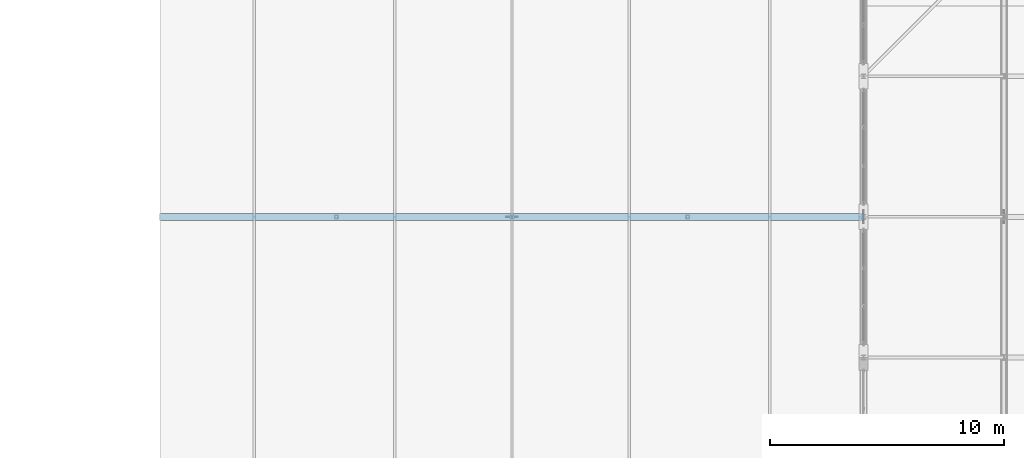
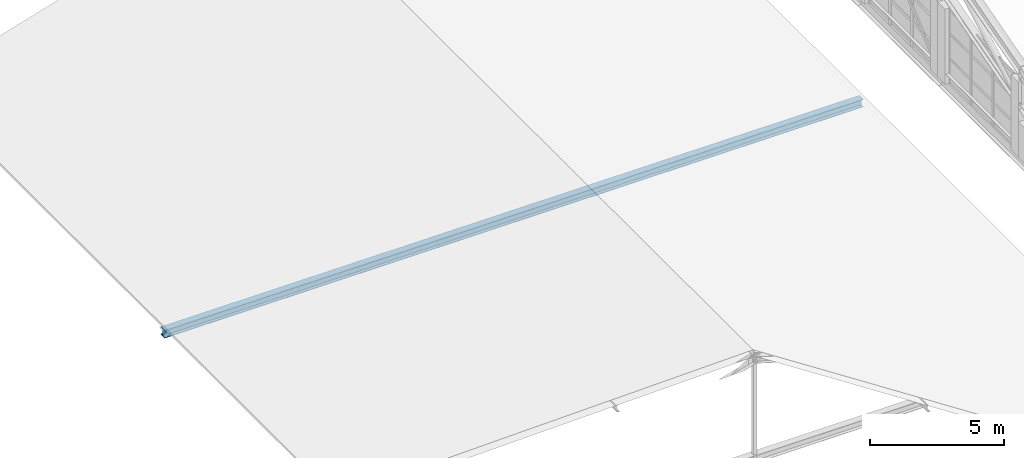
# One storey, part 62 of 204: 1 member.
"""IFC4 building model written with IfcOpenShell, lengths in metres."""

from ifc_helpers import new_model, si_unit, direction, frame, origin, origin_2d, place, context, subcontext, project, spatial, i_section, extrude, material, material_profile, profile_set, type_object, element, save


model = new_model("IFC4")

# Units and contexts
model_context = context("Model", 3, precision=1e-05, world=origin(), true_north=direction((0.0, 1.0)))
body_context = subcontext(model_context, "Body", "Model", "MODEL_VIEW")
ifc_project = project(units=[si_unit("LENGTHUNIT", "METRE"), si_unit("AREAUNIT", "SQUARE_METRE"), si_unit("VOLUMEUNIT", "CUBIC_METRE"), si_unit("PLANEANGLEUNIT", "RADIAN"), si_unit("MASSUNIT", "GRAM", prefix="KILO")], contexts=[model_context])

# Site, building, storey
site_placement = place(None, origin())
site = spatial("IfcSite", under=ifc_project, at=site_placement, CompositionType="ELEMENT")
building_placement = place(site_placement, origin())
building = spatial("IfcBuilding", under=site, at=building_placement, Name="Zilviju Railside Exhibition Hall", CompositionType="ELEMENT")
storey_placement = place(building_placement, frame((0.0, 0.0, 21.0)))
storey = spatial("IfcBuildingStorey", under=building, at=storey_placement, Name="RF", CompositionType="ELEMENT", Elevation=21.0)

# Member
ifc_material = material(Name="Steel S355J2", Category="steel")
ifc_material_profile = material_profile(ifc_material, i_section(OverallWidth=0.300048828125, OverallDepth=0.35009765625, WebThickness=0.010009765625, FlangeThickness=0.017578125, at=origin_2d()), Name="HEA 360")
ifc_profile_set = profile_set([ifc_material_profile], Name="Steel S355J2")
member_type = type_object("IfcMemberType", Name="TR-CH-HEA360", PredefinedType="CHORD", material=ifc_profile_set)
member_placement = place(storey_placement, frame((48.0, 102.0, -8.39990234375), z_axis=(1.0, 0.0, 0.0), x_axis=(0.0, 1.0, 0.0)))
element("IfcMember", 1, at=member_placement, inside=storey, type_object=member_type, Name="Concourse Saddle Tie Chord Y=102.0", PredefinedType="CHORD", context=body_context, shape_type="SweptSolid", body=[
    extrude(i_section(OverallWidth=0.300048828125, OverallDepth=0.35009765625, WebThickness=0.010009765625, FlangeThickness=0.017578125, at=origin_2d()), origin(), (0.0, 0.0, 1.0), 30.0),
])

save(model, "model.ifc")
